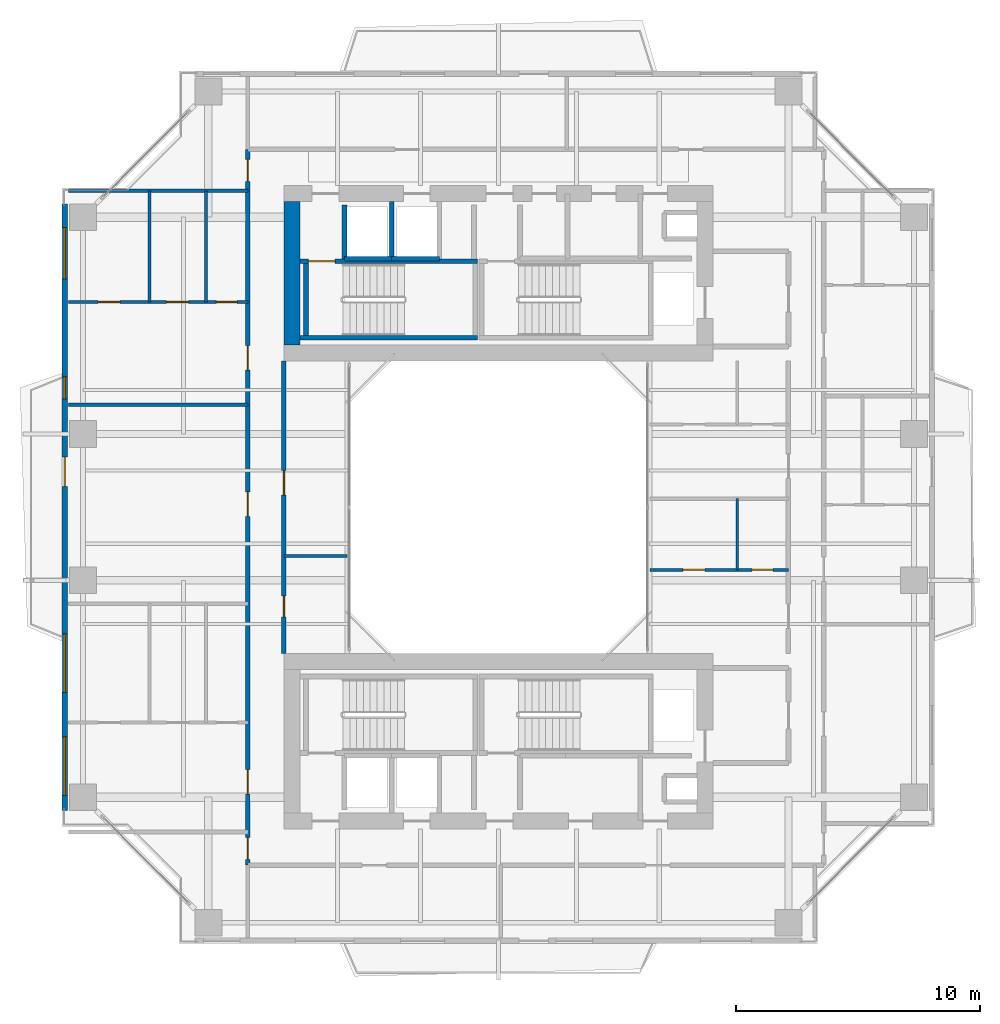
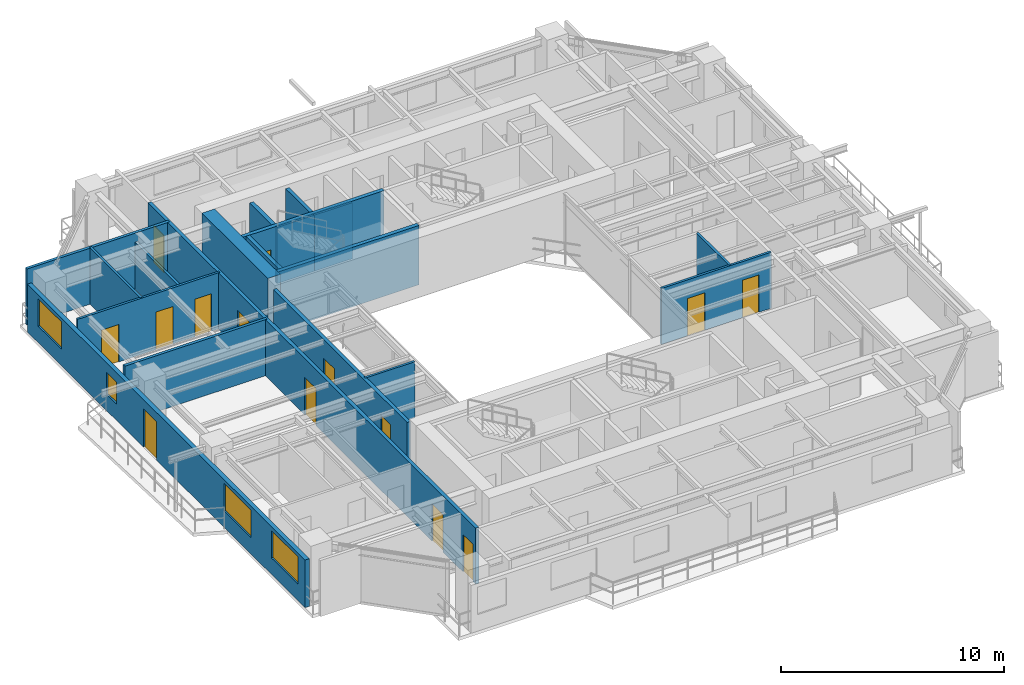
# One storey, part 11 of 17: 19 walls, 14 doors, 4 windows, 18 openings.
"""IFC4 building model written with IfcOpenShell, lengths in metres."""

import ifcopenshell
import ifcopenshell.guid

model = None  # the IFC model being written
_history = None  # IfcOwnerHistory: only IFC2X3 demands one
_inside = {}  # id of a spatial element -> (the spatial element, [elements in it])
_under = {}  # id of a project, library or spatial element -> (it, [spatial elements below it])
_declared = {}  # id of a project -> (the project, [libraries it declares])
_typed = {}  # id of a type object -> (the type object, [elements of that type])
_made_of = {}  # id of a material, layer set ... -> (it, [elements and type objects made of it])


def new_model(schema):
    """Start an empty IFC model of exactly this schema.

    Asked for "IFC4X3", IfcOpenShell would pick the latest addendum, in which some entities
    have other attributes; the version numbers below select the first issue.
    IFC2X3 requires an IfcOwnerHistory on every rooted entity: one is made here for all.
    """
    global model, _history
    if schema == "IFC4X3":
        model = ifcopenshell.file(schema_version=(4, 3, 0, 0))
    else:
        model = ifcopenshell.file(schema=schema)
    _inside.clear()
    _under.clear()
    _declared.clear()
    _typed.clear()
    _made_of.clear()
    _history = None
    if model.schema == "IFC2X3":
        org = make("IfcOrganization", Name="unknown")
        user = make(
            "IfcPersonAndOrganization",
            ThePerson=make("IfcPerson", FamilyName="unknown"),
            TheOrganization=org,
        )
        app = make(
            "IfcApplication",
            ApplicationDeveloper=org,
            Version="unknown",
            ApplicationFullName="unknown",
            ApplicationIdentifier="unknown",
        )
        _history = make(
            "IfcOwnerHistory",
            OwningUser=user,
            OwningApplication=app,
            ChangeAction="ADDED",
            CreationDate=0,
        )
    return model


def make(cls, **values):
    """One entity of the class cls with the attributes given. An attribute that is None is left unset."""
    return model.create_entity(
        cls, **{name: value for name, value in values.items() if value is not None}
    )


def rooted(cls, **values):
    """An entity with a GlobalId (a new one), such as an element, a storey or a relation."""
    return make(cls, GlobalId=ifcopenshell.guid.new(), OwnerHistory=_history, **values)


def si_unit(unit_type, name, prefix=None):
    """IfcSIUnit, for example si_unit("LENGTHUNIT", "METRE", prefix="MILLI")."""
    return make("IfcSIUnit", UnitType=unit_type, Prefix=prefix, Name=name)


def assignment(units):
    """IfcUnitAssignment: the units of a project."""
    return None if units is None else make("IfcUnitAssignment", Units=units)


def point(xyz):
    """IfcCartesianPoint."""
    return None if xyz is None else make("IfcCartesianPoint", Coordinates=xyz)


def direction(xyz):
    """IfcDirection."""
    return None if xyz is None else make("IfcDirection", DirectionRatios=xyz)


def frame(location, z_axis=None, x_axis=None):
    """IfcAxis2Placement3D, a coordinate frame: its origin and axes. An axis left out is left unset."""
    return make(
        "IfcAxis2Placement3D",
        Location=point(location),
        Axis=direction(z_axis),
        RefDirection=direction(x_axis),
    )


def frame_2d(location, x_axis=None):
    """IfcAxis2Placement2D, a coordinate frame in the plane: its origin and x axis."""
    return make(
        "IfcAxis2Placement2D", Location=point(location), RefDirection=direction(x_axis)
    )


def origin():
    """The frame at (0, 0, 0) with its axes left unset."""
    return frame((0.0, 0.0, 0.0))


def place(relative_to, where):
    """IfcLocalPlacement: puts the frame where relative to a parent placement (None: the world)."""
    return make(
        "IfcLocalPlacement", PlacementRelTo=relative_to, RelativePlacement=where
    )


def context(
    kind, dimensions, precision=None, world=None, true_north=None, identifier=None
):
    """IfcGeometricRepresentationContext, for example the 3D "Model" context."""
    return make(
        "IfcGeometricRepresentationContext",
        ContextIdentifier=identifier,
        ContextType=kind,
        CoordinateSpaceDimension=dimensions,
        Precision=precision,
        WorldCoordinateSystem=world,
        TrueNorth=true_north,
    )


def subcontext(parent, identifier, kind, view, scale=None):
    """IfcGeometricRepresentationSubContext, for example "Body" below "Model"."""
    return make(
        "IfcGeometricRepresentationSubContext",
        ContextIdentifier=identifier,
        ContextType=kind,
        ParentContext=parent,
        TargetScale=scale,
        TargetView=view,
    )


def project(units=None, contexts=None):
    """IfcProject with its units and contexts."""
    return rooted(
        "IfcProject",
        Name="project",
        RepresentationContexts=contexts,
        UnitsInContext=assignment(units),
    )


def spatial(cls, under=None, at=None, **own):
    """A site, building, storey or space (cls), placed at a placement, below another one or the project."""
    s = rooted(cls, ObjectPlacement=at, **own)
    if under is not None:
        _under.setdefault(under.id(), (under, []))[1].append(s)
    return s


def profile(cls, at=None, kind="AREA", **sizes):
    """A parametric profile (cls). Its sizes go by their IFC names, for example OverallWidth=200.0."""
    return make(cls, ProfileType=kind, Position=at, **sizes)


def rectangle(**sizes):
    """IfcRectangleProfileDef."""
    return profile("IfcRectangleProfileDef", **sizes)


def extrude(swept, where, along, depth):
    """IfcExtrudedAreaSolid: the profile swept, set in the frame where, extruded along a direction by depth."""
    return make(
        "IfcExtrudedAreaSolid",
        SweptArea=swept,
        Position=where,
        ExtrudedDirection=direction(along),
        Depth=depth,
    )


def shape(context_of_items, identifier, shape_type, items):
    """IfcShapeRepresentation: the items that make up one representation, for example the "Body"."""
    return make(
        "IfcShapeRepresentation",
        ContextOfItems=context_of_items,
        RepresentationIdentifier=identifier,
        RepresentationType=shape_type,
        Items=items,
    )


def source(mapping_origin, context_of_items, identifier, shape_type, items):
    """IfcRepresentationMap: a shape defined once, which mapped items show again and again."""
    return make(
        "IfcRepresentationMap",
        MappingOrigin=mapping_origin,
        MappedRepresentation=shape(context_of_items, identifier, shape_type, items),
    )


def transform(
    local_origin,
    x_axis=None,
    y_axis=None,
    z_axis=None,
    scale=None,
    scale2=None,
    scale3=None,
    uniform=True,
):
    """IfcCartesianTransformationOperator3D, or its non-uniform kind. x_axis, y_axis, z_axis: its Axis1, 2, 3."""
    if uniform:
        return make(
            "IfcCartesianTransformationOperator3D",
            Axis1=direction(x_axis),
            Axis2=direction(y_axis),
            LocalOrigin=point(local_origin),
            Scale=scale,
            Axis3=direction(z_axis),
        )
    return make(
        "IfcCartesianTransformationOperator3DnonUniform",
        Axis1=direction(x_axis),
        Axis2=direction(y_axis),
        LocalOrigin=point(local_origin),
        Scale=scale,
        Axis3=direction(z_axis),
        Scale2=scale2,
        Scale3=scale3,
    )


def mapped(mapping_source, mapping_target):
    """IfcMappedItem: shows the shape of a source again, moved by a transform."""
    return make(
        "IfcMappedItem", MappingSource=mapping_source, MappingTarget=mapping_target
    )


def material(Name=None, Category=None):
    """IfcMaterial."""
    return make("IfcMaterial", Name=Name, Category=Category)


def layer(
    of_material, thickness, ventilated=None, Name=None, Category=None, Priority=None
):
    """IfcMaterialLayer: one layer of a wall or slab, of a material (None: an air gap)."""
    return make(
        "IfcMaterialLayer",
        Material=of_material,
        LayerThickness=thickness,
        IsVentilated=ventilated,
        Name=Name,
        Category=Category,
        Priority=Priority,
    )


def layer_set(layers, Name=None):
    """IfcMaterialLayerSet."""
    return make("IfcMaterialLayerSet", MaterialLayers=layers, LayerSetName=Name)


def made_of(thing, what):
    """Note that an element or type object is made of a material, layer set ...; save() writes the relation."""
    if what is not None:
        _made_of.setdefault(what.id(), (what, []))[1].append(thing)
    return thing


def type_object(cls, material=None, **own):
    """A type object (cls), such as IfcWallType, which elements share."""
    return made_of(rooted(cls, **own), material)


def element(
    cls,
    number,
    at=None,
    inside=None,
    cuts=None,
    type_object=None,
    material=None,
    context=None,
    identifier="Body",
    shape_type=None,
    held_by="IfcProductDefinitionShape",
    body=None,
    shapes=None,
    **own,
):
    """One element of the class cls, such as IfcWall. Its Tag is "e" and its number.

    at: its placement. inside: the storey or other place that contains it. cuts: it is an
    opening in that element (IfcRelVoidsElement). A single representation is given by context,
    identifier, shape_type and body (its items); several are given by shapes. held_by: the class
    of the entity that holds the representations. save() writes the other relations.
    """
    e = rooted(cls, Tag="e%d" % number, ObjectPlacement=at, **own)
    if body is not None:
        shapes = [shape(context, identifier, shape_type, body)]
    if shapes is not None:
        e.Representation = make(held_by, Representations=shapes)
    if inside is not None:
        _inside.setdefault(inside.id(), (inside, []))[1].append(e)
    if cuts is not None:
        rooted(
            "IfcRelVoidsElement", RelatingBuildingElement=cuts, RelatedOpeningElement=e
        )
    if type_object is not None:
        _typed.setdefault(type_object.id(), (type_object, []))[1].append(e)
    return made_of(e, material)


def fill(opening, filler):
    """IfcRelFillsElement: the door or window that sits in an opening."""
    return rooted(
        "IfcRelFillsElement",
        RelatingOpeningElement=opening,
        RelatedBuildingElement=filler,
    )


def aggregate(whole, parts):
    """IfcRelAggregates: a whole, such as a stair, and the parts it consists of."""
    return rooted("IfcRelAggregates", RelatingObject=whole, RelatedObjects=parts)


def save(model, path):
    """Write the relations noted so far, then the file.

    IfcRelAggregates (storeys below a building ...), IfcRelContainedInSpatialStructure (elements
    in a storey), IfcRelDefinesByType, IfcRelAssociatesMaterial and IfcRelDeclares: one each for
    every whole, place, type object, material and project.
    """
    for whole, parts in _under.values():
        aggregate(whole, parts)
    for where, things in _inside.values():
        rooted(
            "IfcRelContainedInSpatialStructure",
            RelatedElements=things,
            RelatingStructure=where,
        )
    for kind, things in _typed.values():
        rooted("IfcRelDefinesByType", RelatedObjects=things, RelatingType=kind)
    for what, things in _made_of.values():
        rooted("IfcRelAssociatesMaterial", RelatedObjects=things, RelatingMaterial=what)
    for by, libraries in _declared.values():
        rooted("IfcRelDeclares", RelatingContext=by, RelatedDefinitions=libraries)
    model.write(path)


model = new_model("IFC4")

# Units and contexts
model_context = context("Model", 3, precision=1e-05, world=origin(), true_north=direction((0.0, 1.0)))
body_context = subcontext(model_context, "Body", "Model", "MODEL_VIEW")
ifc_project = project(units=[si_unit("LENGTHUNIT", "METRE"), si_unit("AREAUNIT", "SQUARE_METRE"), si_unit("VOLUMEUNIT", "CUBIC_METRE"), si_unit("PLANEANGLEUNIT", "RADIAN"), si_unit("MASSUNIT", "GRAM", prefix="KILO"), si_unit("THERMODYNAMICTEMPERATUREUNIT", "KELVIN"), si_unit("POWERUNIT", "WATT")], contexts=[model_context])

# Site, building, storey
site_placement = place(None, origin())
site = spatial("IfcSite", under=ifc_project, at=site_placement, CompositionType="ELEMENT")
building_placement = place(site_placement, origin())
building = spatial("IfcBuilding", under=site, at=building_placement, Name="Qiaomeng Ring Towers", CompositionType="ELEMENT")
storey_placement = place(building_placement, frame((0.0, 0.0, 126.25)))
storey = spatial("IfcBuildingStorey", under=building, at=storey_placement, Name="L36", CompositionType="ELEMENT", Elevation=126.25)

# Wall, openings, windows, door
ifc_material_1 = material(Name="Precast concrete C40", Category="concrete")
ifc_layer_1 = layer(ifc_material_1, 0.219970703125, Name="Precast concrete C40")
ifc_layer_set_1 = layer_set([ifc_layer_1], Name="Precast concrete C40")
wall_type_1 = type_object("IfcWallType", Name="ARC-WL-EW2", PredefinedType="STANDARD", material=ifc_layer_set_1)
wall_1_placement = place(storey_placement, frame((1.2099609375, 10.550048828125, 0.0), z_axis=(0.0, 0.0, 1.0), x_axis=(0.0, 1.0, 0.0)))
wall_1 = element("IfcWall", 1, at=wall_1_placement, inside=storey, type_object=wall_type_1, Name="L36 Tower 1 W Exterior Wall", PredefinedType="STANDARD", context=body_context, shape_type="SweptSolid", body=[
    extrude(rectangle(XDim=24.89990234375, YDim=0.219970703125, at=frame_2d((12.449951171875, 0.0))), origin(), (0.0, 0.0, 1.0), 2.610107421875),
])
opening_1_placement = place(wall_1_placement, frame((13.300048828125, 0.0, 0.0)))
opening_1 = element("IfcOpeningElement", 2, at=opening_1_placement, cuts=wall_1, Name="Opening BD1", PredefinedType="OPENING", context=body_context, shape_type="SweptSolid", body=[
    extrude(rectangle(XDim=1.199951171875, YDim=2.10009765625, at=frame_2d((0.60009765625, 1.050048828125))), frame((0.0, 0.119873046875, 0.0), z_axis=(0.0, -1.0, 0.0), x_axis=(1.0, 0.0, 0.0)), (0.0, 0.0, 1.0), 0.239990234375),
])
opening_2_placement = place(wall_1_placement, frame((0.625, 0.0, 0.89990234375)))
opening_2 = element("IfcOpeningElement", 3, at=opening_2_placement, cuts=wall_1, Name="Opening WN6", PredefinedType="OPENING", context=body_context, shape_type="SweptSolid", body=[
    extrude(rectangle(XDim=2.39990234375, YDim=1.5, at=frame_2d((1.199951171875, 0.75))), frame((0.0, 0.119873046875, 0.0), z_axis=(0.0, -1.0, 0.0), x_axis=(1.0, 0.0, 0.0)), (0.0, 0.0, 1.0), 0.239990234375),
])
opening_3_placement = place(wall_1_placement, frame((21.820068359375, 0.0, 0.89990234375)))
opening_3 = element("IfcOpeningElement", 4, at=opening_3_placement, cuts=wall_1, Name="Opening WN4", PredefinedType="OPENING", context=body_context, shape_type="SweptSolid", body=[
    extrude(rectangle(XDim=2.10009765625, YDim=1.5, at=frame_2d((1.050048828125, 0.75))), frame((0.0, 0.119873046875, 0.0), z_axis=(0.0, -1.0, 0.0), x_axis=(1.0, 0.0, 0.0)), (0.0, 0.0, 1.0), 0.239990234375),
])
opening_4_placement = place(wall_1_placement, frame((4.847412109375, 0.0, 0.89990234375)))
opening_4 = element("IfcOpeningElement", 5, at=opening_4_placement, cuts=wall_1, Name="Opening WN6", PredefinedType="OPENING", context=body_context, shape_type="SweptSolid", body=[
    extrude(rectangle(XDim=2.39990234375, YDim=1.5, at=frame_2d((1.199951171875, 0.75))), frame((0.0, 0.119873046875, 0.0), z_axis=(0.0, -1.0, 0.0), x_axis=(1.0, 0.0, 0.0)), (0.0, 0.0, 1.0), 0.239990234375),
])
opening_5_placement = place(wall_1_placement, frame((16.89501953125, 0.0, 0.89990234375)))
opening_5 = element("IfcOpeningElement", 6, at=opening_5_placement, cuts=wall_1, Name="Opening WN5", PredefinedType="OPENING", context=body_context, shape_type="SweptSolid", body=[
    extrude(rectangle(XDim=0.89990234375, YDim=1.199951171875, at=frame_2d((0.449951171875, 0.60009765625))), frame((0.0, 0.119873046875, 0.0), z_axis=(0.0, -1.0, 0.0), x_axis=(1.0, 0.0, 0.0)), (0.0, 0.0, 1.0), 0.239990234375),
])
ifc_material_2 = material(Name="Low-E dark-grey laminated double glazing", Category="glass")
window_type_1 = type_object("IfcWindowType", Name="ARC-WN-4", PartitioningType="TRIPLE_PANEL_VERTICAL", PredefinedType="WINDOW", material=ifc_material_2)
shared_shape_1 = source(origin(), body_context, "Body", "SweptSolid", [
    extrude(rectangle(XDim=2.10009765625, YDim=1.5, at=frame_2d((1.050048828125, 0.75))), frame((0.0, 0.030029296875, 0.0), z_axis=(0.0, -1.0, 0.0), x_axis=(1.0, 0.0, 0.0)), (0.0, 0.0, 1.0), 0.06005859375),
])
window_1_placement = place(opening_3_placement, origin())
window_1 = element("IfcWindow", 7, at=window_1_placement, inside=storey, type_object=window_type_1, Name="L36 Exterior Window WN4", OverallHeight=1.5, OverallWidth=2.10009765625, PartitioningType="TRIPLE_PANEL_VERTICAL", PredefinedType="WINDOW", context=body_context, shape_type="MappedRepresentation", body=[
    mapped(shared_shape_1, transform((0.0, 0.0, 0.0), x_axis=(1.0, 0.0, 0.0), y_axis=(0.0, 1.0, 0.0), z_axis=(0.0, 0.0, 1.0), scale=1.0)),
])
fill(opening_3, window_1)
door_type_1 = type_object("IfcDoorType", Name="ARC-DR-BD1", OperationType="NOTDEFINED", PredefinedType="DOOR", material=ifc_material_2)
shared_shape_2 = source(origin(), body_context, "Body", "SweptSolid", [
    extrude(rectangle(XDim=1.199951171875, YDim=2.10009765625, at=frame_2d((0.60009765625, 1.050048828125))), frame((0.0, 0.02490234375, 0.0), z_axis=(0.0, -1.0, 0.0), x_axis=(1.0, 0.0, 0.0)), (0.0, 0.0, 1.0), 0.050048828125),
])
door_1_placement = place(opening_1_placement, frame((1.199951171875, 0.0, 0.0), z_axis=(0.0, 0.0, 1.0), x_axis=(-1.0, 0.0, 0.0)))
door_1 = element("IfcDoor", 8, at=door_1_placement, inside=storey, type_object=door_type_1, Name="L36 W Balcony Glazed Door", OperationType="SINGLE_SWING_LEFT", OverallHeight=2.10009765625, OverallWidth=1.199951171875, PredefinedType="DOOR", context=body_context, shape_type="MappedRepresentation", body=[
    mapped(shared_shape_2, transform((0.0, 0.0, 0.0), x_axis=(1.0, 0.0, 0.0), y_axis=(0.0, 1.0, 0.0), z_axis=(0.0, 0.0, 1.0), scale=1.0)),
])
fill(opening_1, door_1)
window_type_2 = type_object("IfcWindowType", Name="ARC-WN-6", PartitioningType="TRIPLE_PANEL_VERTICAL", PredefinedType="WINDOW", material=ifc_material_2)
shared_shape_3 = source(origin(), body_context, "Body", "SweptSolid", [
    extrude(rectangle(XDim=2.39990234375, YDim=1.5, at=frame_2d((1.199951171875, 0.75))), frame((0.0, 0.030029296875, 0.0), z_axis=(0.0, -1.0, 0.0), x_axis=(1.0, 0.0, 0.0)), (0.0, 0.0, 1.0), 0.06005859375),
])
window_2_placement = place(opening_2_placement, origin())
window_2 = element("IfcWindow", 9, at=window_2_placement, inside=storey, type_object=window_type_2, Name="L36 Exterior Window WN6", OverallHeight=1.5, OverallWidth=2.39990234375, PartitioningType="TRIPLE_PANEL_VERTICAL", PredefinedType="WINDOW", context=body_context, shape_type="MappedRepresentation", body=[
    mapped(shared_shape_3, transform((0.0, 0.0, 0.0), x_axis=(1.0, 0.0, 0.0), y_axis=(0.0, 1.0, 0.0), z_axis=(0.0, 0.0, 1.0), scale=1.0)),
])
fill(opening_2, window_2)
window_3_placement = place(opening_4_placement, origin())
window_3 = element("IfcWindow", 10, at=window_3_placement, inside=storey, type_object=window_type_2, Name="L36 Exterior Window WN6", OverallHeight=1.5, OverallWidth=2.39990234375, PartitioningType="TRIPLE_PANEL_VERTICAL", PredefinedType="WINDOW", context=body_context, shape_type="MappedRepresentation", body=[
    mapped(shared_shape_3, transform((0.0, 0.0, 0.0), x_axis=(1.0, 0.0, 0.0), y_axis=(0.0, 1.0, 0.0), z_axis=(0.0, 0.0, 1.0), scale=1.0)),
])
fill(opening_4, window_3)
window_type_3 = type_object("IfcWindowType", Name="ARC-WN-5", PartitioningType="SINGLE_PANEL", PredefinedType="WINDOW", material=ifc_material_2)
shared_shape_4 = source(origin(), body_context, "Body", "SweptSolid", [
    extrude(rectangle(XDim=0.89990234375, YDim=1.199951171875, at=frame_2d((0.449951171875, 0.60009765625))), frame((0.0, 0.030029296875, 0.0), z_axis=(0.0, -1.0, 0.0), x_axis=(1.0, 0.0, 0.0)), (0.0, 0.0, 1.0), 0.06005859375),
])
window_4_placement = place(opening_5_placement, origin())
window_4 = element("IfcWindow", 11, at=window_4_placement, inside=storey, type_object=window_type_3, Name="L36 Exterior Window WN5", OverallHeight=1.199951171875, OverallWidth=0.89990234375, PartitioningType="SINGLE_PANEL", PredefinedType="WINDOW", context=body_context, shape_type="MappedRepresentation", body=[
    mapped(shared_shape_4, transform((0.0, 0.0, 0.0), x_axis=(1.0, 0.0, 0.0), y_axis=(0.0, 1.0, 0.0), z_axis=(0.0, 0.0, 1.0), scale=1.0)),
])
fill(opening_5, window_4)

# Wall
ifc_material_3 = material(Name="Autoclaved aerated concrete block", Category="concrete")
ifc_layer_2 = layer(ifc_material_3, 0.199951171875, Name="Autoclaved aerated concrete block")
ifc_layer_set_2 = layer_set([ifc_layer_2], Name="Autoclaved aerated concrete block")
wall_type_2 = type_object("IfcWallType", Name="ARC-WL-PW1", PredefinedType="PARTITIONING", material=ifc_layer_set_2)
wall_2_placement = place(storey_placement, frame((12.679931640625, 33.18994140625, 0.0), z_axis=(0.0, 0.0, 1.0), x_axis=(0.0, 1.0, 0.0)))
element("IfcWall", 12, at=wall_2_placement, inside=storey, type_object=wall_type_2, Name="L36 Interior Wall PW1", PredefinedType="PARTITIONING", context=body_context, shape_type="SweptSolid", body=[
    extrude(rectangle(XDim=2.2099609375, YDim=0.199951171875, at=frame_2d((1.10498046875, 0.0))), origin(), (0.0, 0.0, 1.0), 3.070068359375),
])

# Wall, openings, doors
ifc_layer_3 = layer(ifc_material_3, 0.179931640625, Name="Autoclaved aerated concrete block")
ifc_layer_set_3 = layer_set([ifc_layer_3], Name="Autoclaved aerated concrete block")
wall_type_3 = type_object("IfcWallType", Name="ARC-WL-PW2", PredefinedType="PARTITIONING", material=ifc_layer_set_3)
wall_3_placement = place(storey_placement, frame((8.719970703125, 8.31005859375, 0.0), z_axis=(0.0, 0.0, 1.0), x_axis=(0.0, 1.0, 0.0)))
wall_3 = element("IfcWall", 13, at=wall_3_placement, inside=storey, type_object=wall_type_3, Name="L36 Interior Wall PW2", PredefinedType="PARTITIONING", context=body_context, shape_type="SweptSolid", body=[
    extrude(rectangle(XDim=29.369873046875, YDim=0.179931640625, at=frame_2d((14.68505859375, 0.0))), origin(), (0.0, 0.0, 1.0), 3.070068359375),
])
opening_6_placement = place(wall_3_placement, frame((28.06005859375, 0.0, 0.0)))
opening_6 = element("IfcOpeningElement", 14, at=opening_6_placement, cuts=wall_3, Name="Opening ID1", PredefinedType="OPENING", context=body_context, shape_type="SweptSolid", body=[
    extrude(rectangle(XDim=0.89990234375, YDim=2.050048828125, at=frame_2d((0.449951171875, 1.02490234375))), frame((0.0, 0.099853515625, 0.0), z_axis=(0.0, -1.0, 0.0), x_axis=(1.0, 0.0, 0.0)), (0.0, 0.0, 1.0), 0.199951171875),
])
opening_7_placement = place(wall_3_placement, frame((0.239990234375, 0.0, 0.0)))
opening_7 = element("IfcOpeningElement", 15, at=opening_7_placement, cuts=wall_3, Name="Opening ID1", PredefinedType="OPENING", context=body_context, shape_type="SweptSolid", body=[
    extrude(rectangle(XDim=0.89990234375, YDim=2.050048828125, at=frame_2d((0.449951171875, 1.02490234375))), frame((0.0, 0.099853515625, 0.0), z_axis=(0.0, -1.0, 0.0), x_axis=(1.0, 0.0, 0.0)), (0.0, 0.0, 1.0), 0.199951171875),
])
opening_8_placement = place(wall_3_placement, frame((2.919921875, 0.0, 0.0)))
opening_8 = element("IfcOpeningElement", 16, at=opening_8_placement, cuts=wall_3, Name="Opening FD4", PredefinedType="OPENING", context=body_context, shape_type="SweptSolid", body=[
    extrude(rectangle(XDim=1.0, YDim=2.050048828125, at=frame_2d((0.5, 1.02490234375))), frame((0.0, 0.099853515625, 0.0), z_axis=(0.0, -1.0, 0.0), x_axis=(1.0, 0.0, 0.0)), (0.0, 0.0, 1.0), 0.199951171875),
])
opening_9_placement = place(wall_3_placement, frame((14.31494140625, 0.0, 0.0)))
opening_9 = element("IfcOpeningElement", 17, at=opening_9_placement, cuts=wall_3, Name="Opening FD4", PredefinedType="OPENING", context=body_context, shape_type="SweptSolid", body=[
    extrude(rectangle(XDim=1.0, YDim=2.050048828125, at=frame_2d((0.5, 1.02490234375))), frame((0.0, 0.099853515625, 0.0), z_axis=(0.0, -1.0, 0.0), x_axis=(1.0, 0.0, 0.0)), (0.0, 0.0, 1.0), 0.199951171875),
])
opening_10_placement = place(wall_3_placement, frame((20.31494140625, 0.0, 0.0)))
opening_10 = element("IfcOpeningElement", 18, at=opening_10_placement, cuts=wall_3, Name="Opening FD4", PredefinedType="OPENING", context=body_context, shape_type="SweptSolid", body=[
    extrude(rectangle(XDim=1.0, YDim=2.050048828125, at=frame_2d((0.5, 1.02490234375))), frame((0.0, 0.099853515625, 0.0), z_axis=(0.0, -1.0, 0.0), x_axis=(1.0, 0.0, 0.0)), (0.0, 0.0, 1.0), 0.199951171875),
])
ifc_material_4 = material(Name="Engineered fire-rated oak timber", Category="wood")
door_type_2 = type_object("IfcDoorType", Name="ARC-DR-FD4", OperationType="NOTDEFINED", PredefinedType="DOOR", material=ifc_material_4)
shared_shape_5 = source(origin(), body_context, "Body", "SweptSolid", [
    extrude(rectangle(XDim=1.0, YDim=2.050048828125, at=frame_2d((0.5, 1.02490234375))), frame((0.0, 0.02490234375, 0.0), z_axis=(0.0, -1.0, 0.0), x_axis=(1.0, 0.0, 0.0)), (0.0, 0.0, 1.0), 0.050048828125),
])
door_2_placement = place(opening_8_placement, origin())
door_2 = element("IfcDoor", 19, at=door_2_placement, inside=storey, type_object=door_type_2, Name="L36 Door FD4", OperationType="SINGLE_SWING_RIGHT", OverallHeight=2.050048828125, OverallWidth=1.0, PredefinedType="DOOR", context=body_context, shape_type="MappedRepresentation", body=[
    mapped(shared_shape_5, transform((0.0, 0.0, 0.0), x_axis=(1.0, 0.0, 0.0), y_axis=(0.0, 1.0, 0.0), z_axis=(0.0, 0.0, 1.0), scale=1.0)),
])
fill(opening_8, door_2)
door_3_placement = place(opening_9_placement, origin())
door_3 = element("IfcDoor", 20, at=door_3_placement, inside=storey, type_object=door_type_2, Name="L36 Door FD4", OperationType="SINGLE_SWING_LEFT", OverallHeight=2.050048828125, OverallWidth=1.0, PredefinedType="DOOR", context=body_context, shape_type="MappedRepresentation", body=[
    mapped(shared_shape_5, transform((0.0, 0.0, 0.0), x_axis=(1.0, 0.0, 0.0), y_axis=(0.0, 1.0, 0.0), z_axis=(0.0, 0.0, 1.0), scale=1.0)),
])
fill(opening_9, door_3)
door_4_placement = place(opening_10_placement, origin())
door_4 = element("IfcDoor", 21, at=door_4_placement, inside=storey, type_object=door_type_2, Name="L36 Door FD4", OperationType="SINGLE_SWING_LEFT", OverallHeight=2.050048828125, OverallWidth=1.0, PredefinedType="DOOR", context=body_context, shape_type="MappedRepresentation", body=[
    mapped(shared_shape_5, transform((0.0, 0.0, 0.0), x_axis=(1.0, 0.0, 0.0), y_axis=(0.0, 1.0, 0.0), z_axis=(0.0, 0.0, 1.0), scale=1.0)),
])
fill(opening_10, door_4)
ifc_material_5 = material(Name="Engineered oak timber", Category="wood")
door_type_3 = type_object("IfcDoorType", Name="ARC-DR-ID1", OperationType="NOTDEFINED", PredefinedType="DOOR", material=ifc_material_5)
shared_shape_6 = source(origin(), body_context, "Body", "SweptSolid", [
    extrude(rectangle(XDim=0.89990234375, YDim=2.050048828125, at=frame_2d((0.449951171875, 1.02490234375))), frame((0.0, 0.02490234375, 0.0), z_axis=(0.0, -1.0, 0.0), x_axis=(1.0, 0.0, 0.0)), (0.0, 0.0, 1.0), 0.050048828125),
])
door_5_placement = place(opening_6_placement, origin())
door_5 = element("IfcDoor", 22, at=door_5_placement, inside=storey, type_object=door_type_3, Name="L36 Door ID1", OperationType="SINGLE_SWING_LEFT", OverallHeight=2.050048828125, OverallWidth=0.89990234375, PredefinedType="DOOR", context=body_context, shape_type="MappedRepresentation", body=[
    mapped(shared_shape_6, transform((0.0, 0.0, 0.0), x_axis=(1.0, 0.0, 0.0), y_axis=(0.0, 1.0, 0.0), z_axis=(0.0, 0.0, 1.0), scale=1.0)),
])
fill(opening_6, door_5)
door_6_placement = place(opening_7_placement, origin())
door_6 = element("IfcDoor", 23, at=door_6_placement, inside=storey, type_object=door_type_3, Name="L36 Door ID1", OperationType="SINGLE_SWING_RIGHT", OverallHeight=2.050048828125, OverallWidth=0.89990234375, PredefinedType="DOOR", context=body_context, shape_type="MappedRepresentation", body=[
    mapped(shared_shape_6, transform((0.0, 0.0, 0.0), x_axis=(1.0, 0.0, 0.0), y_axis=(0.0, 1.0, 0.0), z_axis=(0.0, 0.0, 1.0), scale=1.0)),
])
fill(opening_7, door_6)

wall_4_placement = place(storey_placement, frame((10.199951171875, 17.0, 0.0), z_axis=(0.0, 0.0, 1.0), x_axis=(0.0, 1.0, 0.0)))
wall_4 = element("IfcWall", 24, at=wall_4_placement, inside=storey, type_object=wall_type_3, Name="L36 Interior Wall PW2", PredefinedType="PARTITIONING", context=body_context, shape_type="SweptSolid", body=[
    extrude(rectangle(XDim=12.0, YDim=0.179931640625, at=frame_2d((6.0, 0.0))), origin(), (0.0, 0.0, 1.0), 3.070068359375),
])
opening_11_placement = place(wall_4_placement, frame((1.5, 0.0, 0.0)))
opening_11 = element("IfcOpeningElement", 25, at=opening_11_placement, cuts=wall_4, Name="Opening ID2", PredefinedType="OPENING", context=body_context, shape_type="SweptSolid", body=[
    extrude(rectangle(XDim=0.85009765625, YDim=2.050048828125, at=frame_2d((0.425048828125, 1.02490234375))), frame((0.0, 0.099853515625, 0.0), z_axis=(0.0, -1.0, 0.0), x_axis=(1.0, 0.0, 0.0)), (0.0, 0.0, 1.0), 0.199951171875),
])
opening_12_placement = place(wall_4_placement, frame((6.5, 0.0, 0.0)))
opening_12 = element("IfcOpeningElement", 26, at=opening_12_placement, cuts=wall_4, Name="Opening FD4", PredefinedType="OPENING", context=body_context, shape_type="SweptSolid", body=[
    extrude(rectangle(XDim=1.0, YDim=2.050048828125, at=frame_2d((0.5, 1.02490234375))), frame((0.0, 0.099853515625, 0.0), z_axis=(0.0, -1.0, 0.0), x_axis=(1.0, 0.0, 0.0)), (0.0, 0.0, 1.0), 0.199951171875),
])
door_7_placement = place(opening_12_placement, origin())
door_7 = element("IfcDoor", 27, at=door_7_placement, inside=storey, type_object=door_type_2, Name="L36 Door FD4", OperationType="SINGLE_SWING_LEFT", OverallHeight=2.050048828125, OverallWidth=1.0, PredefinedType="DOOR", context=body_context, shape_type="MappedRepresentation", body=[
    mapped(shared_shape_5, transform((0.0, 0.0, 0.0), x_axis=(1.0, 0.0, 0.0), y_axis=(0.0, 1.0, 0.0), z_axis=(0.0, 0.0, 1.0), scale=1.0)),
])
fill(opening_12, door_7)
ifc_material_6 = material(Name="Moisture-resistant engineered timber", Category="wood")
door_type_4 = type_object("IfcDoorType", Name="ARC-DR-ID2", OperationType="NOTDEFINED", PredefinedType="DOOR", material=ifc_material_6)
shared_shape_7 = source(origin(), body_context, "Body", "SweptSolid", [
    extrude(rectangle(XDim=0.85009765625, YDim=2.050048828125, at=frame_2d((0.425048828125, 1.02490234375))), frame((0.0, 0.02490234375, 0.0), z_axis=(0.0, -1.0, 0.0), x_axis=(1.0, 0.0, 0.0)), (0.0, 0.0, 1.0), 0.050048828125),
])
door_8_placement = place(opening_11_placement, origin())
door_8 = element("IfcDoor", 28, at=door_8_placement, inside=storey, type_object=door_type_4, Name="L36 Door ID2", OperationType="SINGLE_SWING_RIGHT", OverallHeight=2.050048828125, OverallWidth=0.85009765625, PredefinedType="DOOR", context=body_context, shape_type="MappedRepresentation", body=[
    mapped(shared_shape_7, transform((0.0, 0.0, 0.0), x_axis=(1.0, 0.0, 0.0), y_axis=(0.0, 1.0, 0.0), z_axis=(0.0, 0.0, 1.0), scale=1.0)),
])
fill(opening_11, door_8)

# Walls
ifc_material_7 = material(Name="Gypsum fireboard steel-stud partition", Category="steel")
ifc_layer_4 = layer(ifc_material_7, 0.14990234375, Name="Gypsum fireboard steel-stud partition")
ifc_layer_set_4 = layer_set([ifc_layer_4], Name="Gypsum fireboard steel-stud partition")
wall_type_4 = type_object("IfcWallType", Name="ARC-WL-PW3", PredefinedType="PARTITIONING", material=ifc_layer_set_4)
for number, where, z_axis, x_axis, name in (
    (29, (1.35009765625, 35.97998046875, 0.0), (0.0, 0.0, 1.0), (1.0, 0.0, 0.0), "L36 Interior Wall PW3"),
    (30, (1.35009765625, 27.2099609375, 0.0), (0.0, 0.0, 1.0), (1.0, 0.0, 0.0), "L36 Interior Wall PW3"),
):
    element("IfcWall", number, at=place(storey_placement, frame(where, z_axis=z_axis, x_axis=x_axis)), inside=storey, type_object=wall_type_4, Name=name, PredefinedType="PARTITIONING", context=body_context, shape_type="SweptSolid", body=[
        extrude(rectangle(XDim=7.369873046875, YDim=0.14990234375, at=frame_2d((3.68505859375, 0.0))), origin(), (0.0, 0.0, 1.0), 3.070068359375),
    ])

# Wall, openings, doors
ifc_material_8 = material(Name="Moisture-resistant gypsum steel-stud partition", Category="steel")
ifc_layer_5 = layer(ifc_material_8, 0.1201171875, Name="Moisture-resistant gypsum steel-stud partition")
ifc_layer_set_5 = layer_set([ifc_layer_5], Name="Moisture-resistant gypsum steel-stud partition")
wall_type_5 = type_object("IfcWallType", Name="ARC-WL-PW4", PredefinedType="PLUMBINGWALL", material=ifc_layer_set_5)
wall_5_placement = place(storey_placement, frame((1.35009765625, 31.419921875, 0.0), z_axis=(0.0, 0.0, 1.0), x_axis=(1.0, 0.0, 0.0)))
wall_5 = element("IfcWall", 31, at=wall_5_placement, inside=storey, type_object=wall_type_5, Name="L36 Interior Wall PW4", PredefinedType="PLUMBINGWALL", context=body_context, shape_type="SweptSolid", body=[
    extrude(rectangle(XDim=7.369873046875, YDim=0.1201171875, at=frame_2d((3.68505859375, 0.0))), origin(), (0.0, 0.0, 1.0), 3.070068359375),
])
opening_13_placement = place(wall_5_placement, frame((1.22509765625, 0.0, 0.0)))
opening_13 = element("IfcOpeningElement", 32, at=opening_13_placement, cuts=wall_5, Name="Opening ID1", PredefinedType="OPENING", context=body_context, shape_type="SweptSolid", body=[
    extrude(rectangle(XDim=0.89990234375, YDim=2.050048828125, at=frame_2d((0.449951171875, 1.02490234375))), frame((0.0, 0.070068359375, 0.0), z_axis=(0.0, -1.0, 0.0), x_axis=(1.0, 0.0, 0.0)), (0.0, 0.0, 1.0), 0.14013671875),
])
opening_14_placement = place(wall_5_placement, frame((4.0400390625, 0.0, 0.0)))
opening_14 = element("IfcOpeningElement", 33, at=opening_14_placement, cuts=wall_5, Name="Opening ID1", PredefinedType="OPENING", context=body_context, shape_type="SweptSolid", body=[
    extrude(rectangle(XDim=0.89990234375, YDim=2.050048828125, at=frame_2d((0.449951171875, 1.02490234375))), frame((0.0, 0.070068359375, 0.0), z_axis=(0.0, -1.0, 0.0), x_axis=(1.0, 0.0, 0.0)), (0.0, 0.0, 1.0), 0.14013671875),
])
opening_15_placement = place(wall_5_placement, frame((6.074951171875, 0.0, 0.0)))
opening_15 = element("IfcOpeningElement", 34, at=opening_15_placement, cuts=wall_5, Name="Opening ID2", PredefinedType="OPENING", context=body_context, shape_type="SweptSolid", body=[
    extrude(rectangle(XDim=0.85009765625, YDim=2.050048828125, at=frame_2d((0.425048828125, 1.02490234375))), frame((0.0, 0.070068359375, 0.0), z_axis=(0.0, -1.0, 0.0), x_axis=(1.0, 0.0, 0.0)), (0.0, 0.0, 1.0), 0.14013671875),
])
door_9_placement = place(opening_15_placement, origin())
door_9 = element("IfcDoor", 35, at=door_9_placement, inside=storey, type_object=door_type_4, Name="L36 Door ID2", OperationType="SINGLE_SWING_RIGHT", OverallHeight=2.050048828125, OverallWidth=0.85009765625, PredefinedType="DOOR", context=body_context, shape_type="MappedRepresentation", body=[
    mapped(shared_shape_7, transform((0.0, 0.0, 0.0), x_axis=(1.0, 0.0, 0.0), y_axis=(0.0, 1.0, 0.0), z_axis=(0.0, 0.0, 1.0), scale=1.0)),
])
fill(opening_15, door_9)
door_10_placement = place(opening_13_placement, origin())
door_10 = element("IfcDoor", 36, at=door_10_placement, inside=storey, type_object=door_type_3, Name="L36 Door ID1", OperationType="SINGLE_SWING_RIGHT", OverallHeight=2.050048828125, OverallWidth=0.89990234375, PredefinedType="DOOR", context=body_context, shape_type="MappedRepresentation", body=[
    mapped(shared_shape_6, transform((0.0, 0.0, 0.0), x_axis=(1.0, 0.0, 0.0), y_axis=(0.0, 1.0, 0.0), z_axis=(0.0, 0.0, 1.0), scale=1.0)),
])
fill(opening_13, door_10)
door_11_placement = place(opening_14_placement, origin())
door_11 = element("IfcDoor", 37, at=door_11_placement, inside=storey, type_object=door_type_3, Name="L36 Door ID1", OperationType="SINGLE_SWING_LEFT", OverallHeight=2.050048828125, OverallWidth=0.89990234375, PredefinedType="DOOR", context=body_context, shape_type="MappedRepresentation", body=[
    mapped(shared_shape_6, transform((0.0, 0.0, 0.0), x_axis=(1.0, 0.0, 0.0), y_axis=(0.0, 1.0, 0.0), z_axis=(0.0, 0.0, 1.0), scale=1.0)),
])
fill(opening_14, door_11)

# Walls
wall_6_placement = place(storey_placement, frame((4.679931640625, 31.419921875, 0.0), z_axis=(0.0, 0.0, 1.0), x_axis=(0.0, 1.0, 0.0)))
element("IfcWall", 38, at=wall_6_placement, inside=storey, type_object=wall_type_5, Name="L36 Interior Wall PW4", PredefinedType="PLUMBINGWALL", context=body_context, shape_type="SweptSolid", body=[
    extrude(rectangle(XDim=4.56005859375, YDim=0.1201171875, at=frame_2d((2.280029296875, 0.0))), origin(), (0.0, 0.0, 1.0), 3.070068359375),
])
wall_7_placement = place(storey_placement, frame((7.0, 31.419921875, 0.0), z_axis=(0.0, 0.0, 1.0), x_axis=(0.0, 1.0, 0.0)))
element("IfcWall", 39, at=wall_7_placement, inside=storey, type_object=wall_type_5, Name="L36 Interior Wall PW4", PredefinedType="PLUMBINGWALL", context=body_context, shape_type="SweptSolid", body=[
    extrude(rectangle(XDim=4.56005859375, YDim=0.1201171875, at=frame_2d((2.280029296875, 0.0))), origin(), (0.0, 0.0, 1.0), 2.576904296875),
])
wall_8_placement = place(storey_placement, frame((10.199951171875, 21.0, 0.0), z_axis=(0.0, 0.0, 1.0), x_axis=(1.0, 0.0, 0.0)))
element("IfcWall", 40, at=wall_8_placement, inside=storey, type_object=wall_type_5, Name="L36 Interior Wall PW4", PredefinedType="PLUMBINGWALL", context=body_context, shape_type="SweptSolid", body=[
    extrude(rectangle(XDim=2.580078125, YDim=0.1201171875, at=frame_2d((1.2900390625, 0.0))), origin(), (0.0, 0.0, 1.0), 3.070068359375),
])

# Wall, openings, doors
wall_9_placement = place(storey_placement, frame((25.219970703125, 20.429931640625, 0.0), z_axis=(0.0, 0.0, 1.0), x_axis=(1.0, 0.0, 0.0)))
wall_9 = element("IfcWall", 41, at=wall_9_placement, inside=storey, type_object=wall_type_5, Name="L36 Interior Wall PW4", PredefinedType="PLUMBINGWALL", context=body_context, shape_type="SweptSolid", body=[
    extrude(rectangle(XDim=5.679931640625, YDim=0.1201171875, at=frame_2d((2.83984375, 0.0))), origin(), (0.0, 0.0, 1.0), 3.070068359375),
])
opening_16_placement = place(wall_9_placement, frame((1.35009765625, 0.0, 0.0)))
opening_16 = element("IfcOpeningElement", 42, at=opening_16_placement, cuts=wall_9, Name="Opening ID1", PredefinedType="OPENING", context=body_context, shape_type="SweptSolid", body=[
    extrude(rectangle(XDim=0.89990234375, YDim=2.050048828125, at=frame_2d((0.449951171875, 1.02490234375))), frame((0.0, 0.070068359375, 0.0), z_axis=(0.0, -1.0, 0.0), x_axis=(1.0, 0.0, 0.0)), (0.0, 0.0, 1.0), 0.14013671875),
])
opening_17_placement = place(wall_9_placement, frame((4.195068359375, 0.0, 0.0)))
opening_17 = element("IfcOpeningElement", 43, at=opening_17_placement, cuts=wall_9, Name="Opening ID2", PredefinedType="OPENING", context=body_context, shape_type="SweptSolid", body=[
    extrude(rectangle(XDim=0.85009765625, YDim=2.050048828125, at=frame_2d((0.425048828125, 1.02490234375))), frame((0.0, 0.070068359375, 0.0), z_axis=(0.0, -1.0, 0.0), x_axis=(1.0, 0.0, 0.0)), (0.0, 0.0, 1.0), 0.14013671875),
])
door_12_placement = place(opening_17_placement, origin())
door_12 = element("IfcDoor", 44, at=door_12_placement, inside=storey, type_object=door_type_4, Name="L36 Door ID2", OperationType="SINGLE_SWING_RIGHT", OverallHeight=2.050048828125, OverallWidth=0.85009765625, PredefinedType="DOOR", context=body_context, shape_type="MappedRepresentation", body=[
    mapped(shared_shape_7, transform((0.0, 0.0, 0.0), x_axis=(1.0, 0.0, 0.0), y_axis=(0.0, 1.0, 0.0), z_axis=(0.0, 0.0, 1.0), scale=1.0)),
])
fill(opening_17, door_12)
door_13_placement = place(opening_16_placement, origin())
door_13 = element("IfcDoor", 45, at=door_13_placement, inside=storey, type_object=door_type_3, Name="L36 Door ID1", OperationType="SINGLE_SWING_LEFT", OverallHeight=2.050048828125, OverallWidth=0.89990234375, PredefinedType="DOOR", context=body_context, shape_type="MappedRepresentation", body=[
    mapped(shared_shape_6, transform((0.0, 0.0, 0.0), x_axis=(1.0, 0.0, 0.0), y_axis=(0.0, 1.0, 0.0), z_axis=(0.0, 0.0, 1.0), scale=1.0)),
])
fill(opening_16, door_13)

# Walls
wall_10_placement = place(storey_placement, frame((28.800048828125, 20.429931640625, 0.0), z_axis=(0.0, 0.0, 1.0), x_axis=(0.0, 1.0, 0.0)))
element("IfcWall", 46, at=wall_10_placement, inside=storey, type_object=wall_type_5, Name="L36 Interior Wall PW4", PredefinedType="PLUMBINGWALL", context=body_context, shape_type="SweptSolid", body=[
    extrude(rectangle(XDim=2.920166015625, YDim=0.1201171875, at=frame_2d((1.4599609375, 0.0))), origin(), (0.0, 0.0, 1.0), 3.070068359375),
])
ifc_material_9 = material(Name="Concrete C40", Category="concrete")
ifc_layer_6 = layer(ifc_material_9, 0.199951171875, Name="Concrete C40")
ifc_layer_set_6 = layer_set([ifc_layer_6], Name="Concrete C40")
wall_type_6 = type_object("IfcWallType", Name="STR-WL-STSHAFT", PredefinedType="SHEAR", material=ifc_layer_set_6)
wall_11_placement = place(storey_placement, frame((12.679931640625, 33.199951171875, 0.0), z_axis=(0.0, 0.0, 1.0), x_axis=(1.0, 0.0, 0.0)))
element("IfcWall", 47, at=wall_11_placement, inside=storey, type_object=wall_type_6, Name="L36 Lift LP5 Shaft Back Wall", PredefinedType="SHEAR", context=body_context, shape_type="SweptSolid", body=[
    extrude(rectangle(XDim=1.940185546875, YDim=0.179931640625, at=frame_2d((0.97021484375, 0.0))), origin(), (0.0, 0.0, 1.0), 3.070068359375),
])
wall_12_placement = place(storey_placement, frame((14.6201171875, 33.199951171875, 0.0), z_axis=(0.0, 0.0, 1.0), x_axis=(0.0, 1.0, 0.0)))
element("IfcWall", 48, at=wall_12_placement, inside=storey, type_object=wall_type_6, Name="L36 Lift LP5-LP3 Shaft Divider Wall", PredefinedType="SHEAR", context=body_context, shape_type="SweptSolid", body=[
    extrude(rectangle(XDim=2.35009765625, YDim=0.179931640625, at=frame_2d((1.175048828125, 0.0))), origin(), (0.0, 0.0, 1.0), 3.070068359375),
])
wall_13_placement = place(storey_placement, frame((14.6201171875, 33.199951171875, 0.0), z_axis=(0.0, 0.0, 1.0), x_axis=(1.0, 0.0, 0.0)))
element("IfcWall", 49, at=wall_13_placement, inside=storey, type_object=wall_type_6, Name="L36 Lift LP3 Shaft Back Wall", PredefinedType="SHEAR", context=body_context, shape_type="SweptSolid", body=[
    extrude(rectangle(XDim=1.9599609375, YDim=0.179931640625, at=frame_2d((0.97998046875, 0.0))), origin(), (0.0, 0.0, 1.0), 3.070068359375),
])
wall_14_placement = place(storey_placement, frame((10.85009765625, 29.949951171875, 0.0), z_axis=(0.0, 0.0, 1.0), x_axis=(1.0, 0.0, 0.0)))
element("IfcWall", 50, at=wall_14_placement, inside=storey, type_object=wall_type_6, Name="L36 Stair ST1 South Shaft Shear Wall", PredefinedType="SHEAR", context=body_context, shape_type="SweptSolid", body=[
    extrude(rectangle(XDim=7.2998046875, YDim=0.199951171875, at=frame_2d((3.64990234375, 0.0))), origin(), (0.0, 0.0, 1.0), 3.25),
])

# Wall, opening, door
wall_15_placement = place(storey_placement, frame((10.85009765625, 33.090087890625, 0.0), z_axis=(0.0, 0.0, 1.0), x_axis=(1.0, 0.0, 0.0)))
wall_15 = element("IfcWall", 51, at=wall_15_placement, inside=storey, type_object=wall_type_6, Name="L36 Stair ST1 North Shaft Shear Wall", PredefinedType="SHEAR", context=body_context, shape_type="SweptSolid", body=[
    extrude(rectangle(XDim=7.2998046875, YDim=0.199951171875, at=frame_2d((3.64990234375, 0.0))), origin(), (0.0, 0.0, 1.0), 3.25),
])
opening_18_placement = place(wall_15_placement, frame((0.35009765625, 0.0, 0.0)))
opening_18 = element("IfcOpeningElement", 52, at=opening_18_placement, cuts=wall_15, Name="Opening FD3", PredefinedType="OPENING", context=body_context, shape_type="SweptSolid", body=[
    extrude(rectangle(XDim=1.10009765625, YDim=2.050048828125, at=frame_2d((0.550048828125, 1.02490234375))), frame((0.0, 0.10986328125, 0.0), z_axis=(0.0, -1.0, 0.0), x_axis=(1.0, 0.0, 0.0)), (0.0, 0.0, 1.0), 0.219970703125),
])
ifc_material_10 = material(Name="Galvanised steel", Category="steel")
door_type_5 = type_object("IfcDoorType", Name="ARC-DR-FD3", OperationType="NOTDEFINED", PredefinedType="DOOR", material=ifc_material_10)
shared_shape_8 = source(origin(), body_context, "Body", "SweptSolid", [
    extrude(rectangle(XDim=1.10009765625, YDim=2.050048828125, at=frame_2d((0.550048828125, 1.02490234375))), frame((0.0, 0.02490234375, 0.0), z_axis=(0.0, -1.0, 0.0), x_axis=(1.0, 0.0, 0.0)), (0.0, 0.0, 1.0), 0.050048828125),
])
door_14_placement = place(opening_18_placement, origin())
door_14 = element("IfcDoor", 53, at=door_14_placement, inside=storey, type_object=door_type_5, Name="L36 Stair ST1 Exit Door", OperationType="SINGLE_SWING_LEFT", OverallHeight=2.050048828125, OverallWidth=1.10009765625, PredefinedType="DOOR", context=body_context, shape_type="MappedRepresentation", body=[
    mapped(shared_shape_8, transform((0.0, 0.0, 0.0), x_axis=(1.0, 0.0, 0.0), y_axis=(0.0, 1.0, 0.0), z_axis=(0.0, 0.0, 1.0), scale=1.0)),
])
fill(opening_18, door_14)

# Walls
wall_16_placement = place(storey_placement, frame((11.10009765625, 30.050048828125, 0.0), z_axis=(0.0, 0.0, 1.0), x_axis=(0.0, 1.0, 0.0)))
element("IfcWall", 54, at=wall_16_placement, inside=storey, type_object=wall_type_6, Name="L36 Stair ST1 West Shaft Shear Wall", PredefinedType="SHEAR", context=body_context, shape_type="SweptSolid", body=[
    extrude(rectangle(XDim=2.93994140625, YDim=0.199951171875, at=frame_2d((1.469970703125, 0.0))), origin(), (0.0, 0.0, 1.0), 3.25),
])
ifc_material_11 = material(Name="Concrete C55", Category="concrete")
ifc_layer_7 = layer(ifc_material_11, 0.64990234375, Name="Concrete C55")
ifc_layer_set_7 = layer_set([ifc_layer_7], Name="Concrete C55")
wall_type_7 = type_object("IfcWallType", Name="STR-WL-SW2A", PredefinedType="SHEAR", material=ifc_layer_set_7)
wall_17_placement = place(storey_placement, frame((10.52490234375, 29.64990234375, 0.0), z_axis=(0.0, 0.0, 1.0), x_axis=(0.0, 1.0, 0.0)))
element("IfcWall", 55, at=wall_17_placement, inside=storey, type_object=wall_type_7, Name="L36 T1NC west core shear wall", PredefinedType="SHEAR", context=body_context, shape_type="SweptSolid", body=[
    extrude(rectangle(XDim=5.900146484375, YDim=0.64990234375, at=frame_2d((2.9501953125, 0.0))), origin(), (0.0, 0.0, 1.0), 3.25),
])

save(model, "model.ifc")
